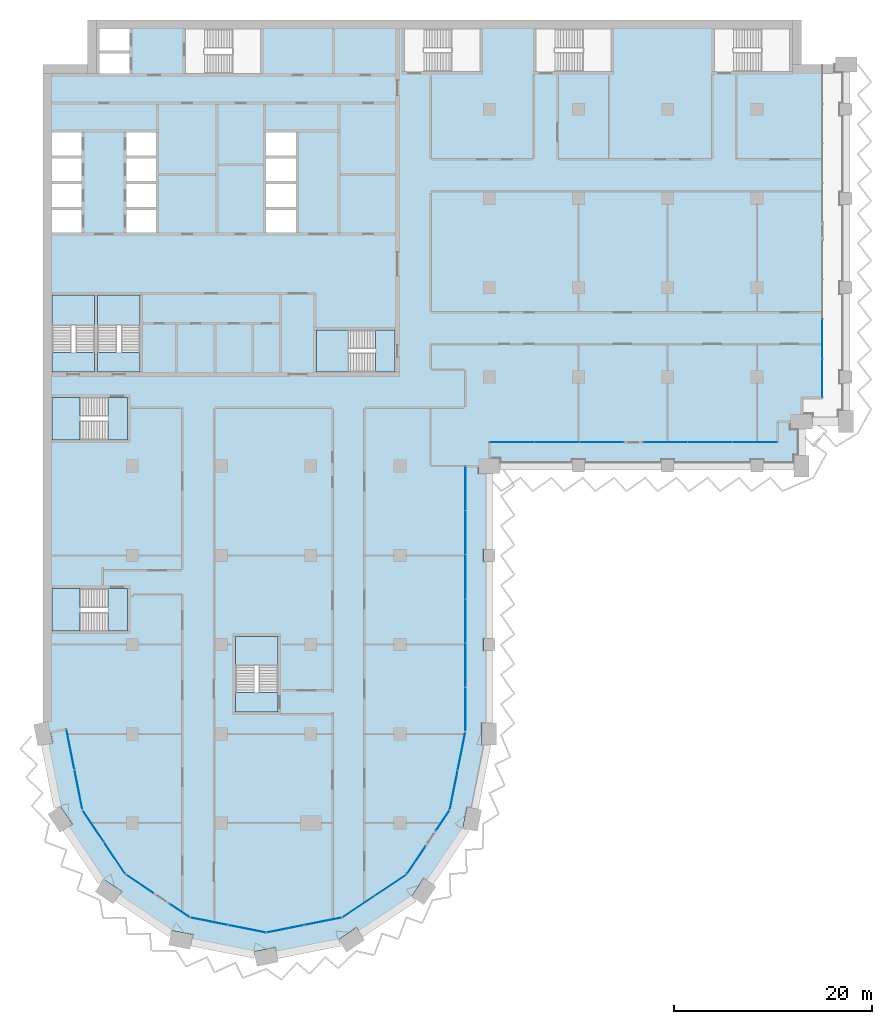
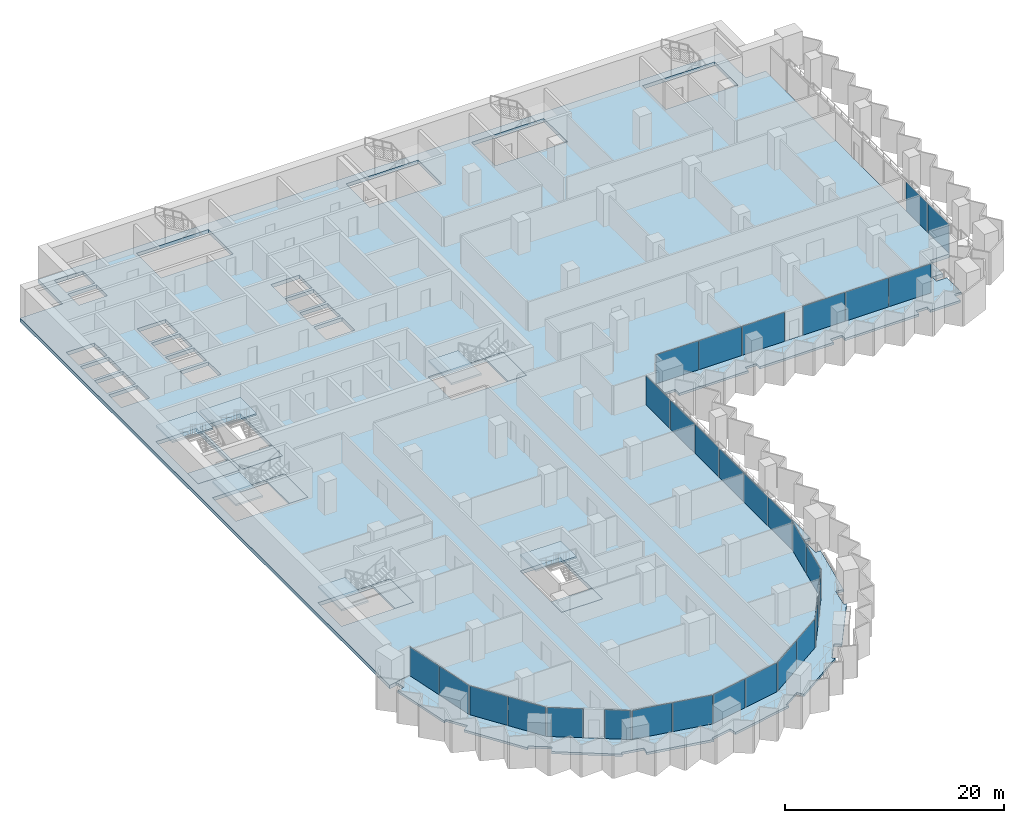
# One storey, part 7 of 22: 30 plates, 15 slabs, 20 elements without a shape of their own.
"""IFC4 building model written with IfcOpenShell, lengths in metres."""

from ifc_helpers import new_model, si_unit, direction, frame, origin, origin_2d, place, context, subcontext, project, spatial, polyline, rectangle, outline, extrude, material, layer, layer_set, type_object, element, aggregate, save


model = new_model("IFC4")

# Units and contexts
model_context = context("Model", 3, precision=1e-05, world=origin(), true_north=direction((0.0, 1.0)))
body_context = subcontext(model_context, "Body", "Model", "MODEL_VIEW")
ifc_project = project(units=[si_unit("LENGTHUNIT", "METRE"), si_unit("AREAUNIT", "SQUARE_METRE"), si_unit("VOLUMEUNIT", "CUBIC_METRE"), si_unit("PLANEANGLEUNIT", "RADIAN"), si_unit("MASSUNIT", "GRAM", prefix="KILO")], contexts=[model_context])

# Site, building, storey
site_placement = place(None, origin())
site = spatial("IfcSite", under=ifc_project, at=site_placement, CompositionType="ELEMENT")
building_placement = place(site_placement, origin())
building = spatial("IfcBuilding", under=site, at=building_placement, Name="Hunhe Ridgeline Campus", CompositionType="ELEMENT")
storey_placement = place(building_placement, frame((0.0, 0.0, 114.39990234375)))
storey = spatial("IfcBuildingStorey", under=building, at=storey_placement, Name="L28", CompositionType="ELEMENT", Elevation=114.39990234375)

# Curtain wall, plates
ifc_material_1 = material(Name="Aluminium 6063", Category="aluminium")
curtain_wall_type_1 = type_object("IfcCurtainWallType", Name="Curtain wall CW-5", PredefinedType="NOTDEFINED", material=ifc_material_1)
curtain_wall_1_placement = place(storey_placement, origin())
curtain_wall_1 = element("IfcCurtainWall", 1, at=curtain_wall_1_placement, inside=storey, type_object=curtain_wall_type_1, Name="Curtain wall 01", PredefinedType="NOTDEFINED")
ifc_material_2 = material(Name="Low-e laminated glass", Category="glass")
ifc_layer_1 = layer(ifc_material_2, 0.028076171875)
ifc_layer_set_1 = layer_set([ifc_layer_1], Name="Curtain wall glass panel 28 low-e laminated")
plate_type = type_object("IfcPlateType", Name="Curtain wall glass panel 28 low-e laminated", PredefinedType="CURTAIN_PANEL", material=ifc_layer_set_1)
plate_1_placement = place(storey_placement, frame((2.76318359375, 25.416015625, 0.0), z_axis=(0.0, 0.0, 1.0), x_axis=(0.195095347137, -0.980784280831, 0.0)))
plate_1 = element("IfcPlate", 2, at=plate_1_placement, type_object=plate_type, Name="CW-5 panel 1", PredefinedType="CURTAIN_PANEL", context=body_context, shape_type="SweptSolid", body=[
    extrude(rectangle(XDim=4.0458984375, YDim=0.028076171875, at=origin_2d()), origin(), (0.0, 0.0, 1.0), 3.22998046875),
])
plate_2_placement = place(storey_placement, frame((3.566162109375, 21.379150390625, 0.0), z_axis=(0.0, 0.0, 1.0), x_axis=(0.195095347137, -0.980784280831, 0.0)))
plate_2 = element("IfcPlate", 3, at=plate_2_placement, type_object=plate_type, Name="CW-5 panel 2", PredefinedType="CURTAIN_PANEL", context=body_context, shape_type="SweptSolid", body=[
    extrude(rectangle(XDim=4.0458984375, YDim=0.028076171875, at=origin_2d()), origin(), (0.0, 0.0, 1.0), 3.22998046875),
])
aggregate(curtain_wall_1, [plate_1, plate_2])

curtain_wall_2_placement = place(storey_placement, origin())
curtain_wall_2 = element("IfcCurtainWall", 4, at=curtain_wall_2_placement, inside=storey, type_object=curtain_wall_type_1, Name="Curtain wall 02", PredefinedType="NOTDEFINED")
plate_3_placement = place(storey_placement, frame((5.07080078125, 17.685546875, 0.0), z_axis=(0.0, 0.0, 1.0), x_axis=(0.555570274596, -0.831469584522, 0.0)))
plate_3 = element("IfcPlate", 5, at=plate_3_placement, type_object=plate_type, Name="CW-5 panel 1", PredefinedType="CURTAIN_PANEL", context=body_context, shape_type="SweptSolid", body=[
    extrude(rectangle(XDim=3.806884765625, YDim=0.028076171875, at=origin_2d()), origin(), (0.0, 0.0, 1.0), 3.22998046875),
])
plate_4_placement = place(storey_placement, frame((7.224609375, 14.4619140625, 0.0), z_axis=(0.0, 0.0, 1.0), x_axis=(0.555570274596, -0.831469584522, 0.0)))
plate_4 = element("IfcPlate", 6, at=plate_4_placement, type_object=plate_type, Name="CW-5 panel 2", PredefinedType="CURTAIN_PANEL", context=body_context, shape_type="SweptSolid", body=[
    extrude(rectangle(XDim=3.806884765625, YDim=0.028076171875, at=origin_2d()), origin(), (0.0, 0.0, 1.0), 3.22998046875),
])
aggregate(curtain_wall_2, [plate_3, plate_4])

# Curtain wall, plate
curtain_wall_3_placement = place(storey_placement, origin())
curtain_wall_3 = element("IfcCurtainWall", 7, at=curtain_wall_3_placement, inside=storey, type_object=curtain_wall_type_1, Name="Curtain wall 03", PredefinedType="NOTDEFINED")
plate_5_placement = place(storey_placement, frame((9.76025390625, 11.859375, 0.0), z_axis=(0.0, 0.0, 1.0), x_axis=(0.831469595944, -0.555570257501, 0.0)))
plate_5 = element("IfcPlate", 8, at=plate_5_placement, type_object=plate_type, Name="CW-5 panel 1", PredefinedType="CURTAIN_PANEL", context=body_context, shape_type="SweptSolid", body=[
    extrude(rectangle(XDim=3.322021484375, YDim=0.028076171875, at=origin_2d()), origin(), (0.0, 0.0, 1.0), 3.22998046875),
])
aggregate(curtain_wall_3, [plate_5])

curtain_wall_4_placement = place(storey_placement, origin())
curtain_wall_4 = element("IfcCurtainWall", 9, at=curtain_wall_4_placement, inside=storey, type_object=curtain_wall_type_1, Name="Curtain wall 04", PredefinedType="NOTDEFINED")
plate_6_placement = place(storey_placement, frame((13.761474609375, 9.18603515625, 0.0), z_axis=(0.0, 0.0, 1.0), x_axis=(0.831469510353, -0.555570385598, 0.0)))
plate_6 = element("IfcPlate", 10, at=plate_6_placement, type_object=plate_type, Name="CW-5 panel 1", PredefinedType="CURTAIN_PANEL", context=body_context, shape_type="SweptSolid", body=[
    extrude(rectangle(XDim=2.421875, YDim=0.028076171875, at=origin_2d()), origin(), (0.0, 0.0, 1.0), 3.22998046875),
])
aggregate(curtain_wall_4, [plate_6])

# Curtain wall, plates
curtain_wall_5_placement = place(storey_placement, origin())
curtain_wall_5 = element("IfcCurtainWall", 11, at=curtain_wall_5_placement, inside=storey, type_object=curtain_wall_type_1, Name="Curtain wall 05", PredefinedType="NOTDEFINED")
plate_7_placement = place(storey_placement, frame((16.761962890625, 8.08935546875, 0.0), z_axis=(0.0, 0.0, 1.0), x_axis=(0.980785275326, -0.195090347539, 0.0)))
plate_7 = element("IfcPlate", 12, at=plate_7_placement, type_object=plate_type, Name="CW-5 panel 1", PredefinedType="CURTAIN_PANEL", context=body_context, shape_type="SweptSolid", body=[
    extrude(rectangle(XDim=3.806884765625, YDim=0.028076171875, at=origin_2d()), origin(), (0.0, 0.0, 1.0), 3.22998046875),
])
plate_8_placement = place(storey_placement, frame((20.564453125, 7.3330078125, 0.0), z_axis=(0.0, 0.0, 1.0), x_axis=(0.980785275326, -0.195090347539, 0.0)))
plate_8 = element("IfcPlate", 13, at=plate_8_placement, type_object=plate_type, Name="CW-5 panel 2", PredefinedType="CURTAIN_PANEL", context=body_context, shape_type="SweptSolid", body=[
    extrude(rectangle(XDim=3.806884765625, YDim=0.028076171875, at=origin_2d()), origin(), (0.0, 0.0, 1.0), 3.22998046875),
])
aggregate(curtain_wall_5, [plate_7, plate_8])

curtain_wall_6_placement = place(storey_placement, origin())
curtain_wall_6 = element("IfcCurtainWall", 14, at=curtain_wall_6_placement, inside=storey, type_object=curtain_wall_type_1, Name="Curtain wall 06", PredefinedType="NOTDEFINED")
plate_9_placement = place(storey_placement, frame((24.435546875, 7.3330078125, 0.0), z_axis=(0.0, 0.0, 1.0), x_axis=(0.980785275326, 0.195090347539, 0.0)))
plate_9 = element("IfcPlate", 15, at=plate_9_placement, type_object=plate_type, Name="CW-5 panel 1", PredefinedType="CURTAIN_PANEL", context=body_context, shape_type="SweptSolid", body=[
    extrude(rectangle(XDim=3.806884765625, YDim=0.028076171875, at=origin_2d()), origin(), (0.0, 0.0, 1.0), 3.22998046875),
])
plate_10_placement = place(storey_placement, frame((28.238037109375, 8.08935546875, 0.0), z_axis=(0.0, 0.0, 1.0), x_axis=(0.980785275326, 0.195090347539, 0.0)))
plate_10 = element("IfcPlate", 16, at=plate_10_placement, type_object=plate_type, Name="CW-5 panel 2", PredefinedType="CURTAIN_PANEL", context=body_context, shape_type="SweptSolid", body=[
    extrude(rectangle(XDim=3.806884765625, YDim=0.028076171875, at=origin_2d()), origin(), (0.0, 0.0, 1.0), 3.22998046875),
])
aggregate(curtain_wall_6, [plate_9, plate_10])

curtain_wall_7_placement = place(storey_placement, origin())
curtain_wall_7 = element("IfcCurtainWall", 17, at=curtain_wall_7_placement, inside=storey, type_object=curtain_wall_type_1, Name="Curtain wall 07", PredefinedType="NOTDEFINED")
plate_11_placement = place(storey_placement, frame((31.814453125, 9.57080078125, 0.0), z_axis=(0.0, 0.0, 1.0), x_axis=(0.831469584522, 0.555570274596, 0.0)))
plate_11 = element("IfcPlate", 18, at=plate_11_placement, type_object=plate_type, Name="CW-5 panel 1", PredefinedType="CURTAIN_PANEL", context=body_context, shape_type="SweptSolid", body=[
    extrude(rectangle(XDim=3.806884765625, YDim=0.028076171875, at=origin_2d()), origin(), (0.0, 0.0, 1.0), 3.22998046875),
])
plate_12_placement = place(storey_placement, frame((35.0380859375, 11.724609375, 0.0), z_axis=(0.0, 0.0, 1.0), x_axis=(0.831469584522, 0.555570274596, 0.0)))
plate_12 = element("IfcPlate", 19, at=plate_12_placement, type_object=plate_type, Name="CW-5 panel 2", PredefinedType="CURTAIN_PANEL", context=body_context, shape_type="SweptSolid", body=[
    extrude(rectangle(XDim=3.806884765625, YDim=0.028076171875, at=origin_2d()), origin(), (0.0, 0.0, 1.0), 3.22998046875),
])
aggregate(curtain_wall_7, [plate_11, plate_12])

# Curtain wall, plate
curtain_wall_8_placement = place(storey_placement, origin())
curtain_wall_8 = element("IfcCurtainWall", 20, at=curtain_wall_8_placement, inside=storey, type_object=curtain_wall_type_1, Name="Curtain wall 08", PredefinedType="NOTDEFINED")
plate_13_placement = place(storey_placement, frame((37.640625, 14.26025390625, 0.0), z_axis=(0.0, 0.0, 1.0), x_axis=(0.555570257501, 0.831469595944, 0.0)))
plate_13 = element("IfcPlate", 21, at=plate_13_placement, type_object=plate_type, Name="CW-5 panel 1", PredefinedType="CURTAIN_PANEL", context=body_context, shape_type="SweptSolid", body=[
    extrude(rectangle(XDim=3.322021484375, YDim=0.028076171875, at=origin_2d()), origin(), (0.0, 0.0, 1.0), 3.22998046875),
])
aggregate(curtain_wall_8, [plate_13])

curtain_wall_9_placement = place(storey_placement, origin())
curtain_wall_9 = element("IfcCurtainWall", 22, at=curtain_wall_9_placement, inside=storey, type_object=curtain_wall_type_1, Name="Curtain wall 09", PredefinedType="NOTDEFINED")
plate_14_placement = place(storey_placement, frame((40.31396484375, 18.261474609375, 0.0), z_axis=(0.0, 0.0, 1.0), x_axis=(0.555570385598, 0.831469510353, 0.0)))
plate_14 = element("IfcPlate", 23, at=plate_14_placement, type_object=plate_type, Name="CW-5 panel 1", PredefinedType="CURTAIN_PANEL", context=body_context, shape_type="SweptSolid", body=[
    extrude(rectangle(XDim=2.421875, YDim=0.028076171875, at=origin_2d()), origin(), (0.0, 0.0, 1.0), 3.22998046875),
])
aggregate(curtain_wall_9, [plate_14])

# Curtain wall, plates
curtain_wall_10_placement = place(storey_placement, origin())
curtain_wall_10 = element("IfcCurtainWall", 24, at=curtain_wall_10_placement, inside=storey, type_object=curtain_wall_type_1, Name="Curtain wall 10", PredefinedType="NOTDEFINED")
plate_15_placement = place(storey_placement, frame((41.42236328125, 21.321044921875, 0.0), z_axis=(0.0, 0.0, 1.0), x_axis=(0.195090299215, 0.980785284939, 0.0)))
plate_15 = element("IfcPlate", 25, at=plate_15_placement, type_object=plate_type, Name="CW-5 panel 1", PredefinedType="CURTAIN_PANEL", context=body_context, shape_type="SweptSolid", body=[
    extrude(rectangle(XDim=3.927490234375, YDim=0.028076171875, at=origin_2d()), origin(), (0.0, 0.0, 1.0), 3.22998046875),
])
plate_16_placement = place(storey_placement, frame((42.2021484375, 25.24169921875, 0.0), z_axis=(0.0, 0.0, 1.0), x_axis=(0.195090299215, 0.980785284939, 0.0)))
plate_16 = element("IfcPlate", 26, at=plate_16_placement, type_object=plate_type, Name="CW-5 panel 2", PredefinedType="CURTAIN_PANEL", context=body_context, shape_type="SweptSolid", body=[
    extrude(rectangle(XDim=3.927490234375, YDim=0.028076171875, at=origin_2d()), origin(), (0.0, 0.0, 1.0), 3.22998046875),
])
aggregate(curtain_wall_10, [plate_15, plate_16])

curtain_wall_type_2 = type_object("IfcCurtainWallType", Name="Curtain wall CW-1", PredefinedType="NOTDEFINED", material=ifc_material_1)
curtain_wall_11_placement = place(storey_placement, origin())
curtain_wall_11 = element("IfcCurtainWall", 27, at=curtain_wall_11_placement, inside=storey, type_object=curtain_wall_type_2, Name="Curtain wall 11", PredefinedType="NOTDEFINED")
plate_17_placement = place(storey_placement, frame((42.59912109375, 29.48193359375, 0.0), z_axis=(0.0, 0.0, 1.0), x_axis=(1.0947456e-05, 0.99999999994, 0.0)))
plate_17 = element("IfcPlate", 28, at=plate_17_placement, type_object=plate_type, Name="CW-1 panel 1", PredefinedType="CURTAIN_PANEL", context=body_context, shape_type="SweptSolid", body=[
    extrude(rectangle(XDim=4.37060546875, YDim=0.028076171875, at=origin_2d()), origin(), (0.0, 0.0, 1.0), 3.239990234375),
])
plate_18_placement = place(storey_placement, frame((42.59912109375, 33.927490234375, 0.0), z_axis=(0.0, 0.0, 1.0), x_axis=(1.0947456e-05, 0.99999999994, 0.0)))
plate_18 = element("IfcPlate", 29, at=plate_18_placement, type_object=plate_type, Name="CW-1 panel 2", PredefinedType="CURTAIN_PANEL", context=body_context, shape_type="SweptSolid", body=[
    extrude(rectangle(XDim=4.400634765625, YDim=0.028076171875, at=origin_2d()), origin(), (0.0, 0.0, 1.0), 3.239990234375),
])
plate_19_placement = place(storey_placement, frame((42.59912109375, 38.38818359375, 0.0), z_axis=(0.0, 0.0, 1.0), x_axis=(1.0947456e-05, 0.99999999994, 0.0)))
plate_19 = element("IfcPlate", 30, at=plate_19_placement, type_object=plate_type, Name="CW-1 panel 3", PredefinedType="CURTAIN_PANEL", context=body_context, shape_type="SweptSolid", body=[
    extrude(rectangle(XDim=4.400634765625, YDim=0.028076171875, at=origin_2d()), origin(), (0.0, 0.0, 1.0), 3.239990234375),
])
plate_20_placement = place(storey_placement, frame((42.59912109375, 42.848876953125, 0.0), z_axis=(0.0, 0.0, 1.0), x_axis=(1.0947456e-05, 0.99999999994, 0.0)))
plate_20 = element("IfcPlate", 31, at=plate_20_placement, type_object=plate_type, Name="CW-1 panel 4", PredefinedType="CURTAIN_PANEL", context=body_context, shape_type="SweptSolid", body=[
    extrude(rectangle(XDim=4.400634765625, YDim=0.028076171875, at=origin_2d()), origin(), (0.0, 0.0, 1.0), 3.239990234375),
])
plate_21_placement = place(storey_placement, frame((42.59912109375, 47.3095703125, 0.0), z_axis=(0.0, 0.0, 1.0), x_axis=(1.0947456e-05, 0.99999999994, 0.0)))
plate_21 = element("IfcPlate", 32, at=plate_21_placement, type_object=plate_type, Name="CW-1 panel 5", PredefinedType="CURTAIN_PANEL", context=body_context, shape_type="SweptSolid", body=[
    extrude(rectangle(XDim=4.400634765625, YDim=0.028076171875, at=origin_2d()), origin(), (0.0, 0.0, 1.0), 3.239990234375),
])
plate_22_placement = place(storey_placement, frame((42.599365234375, 51.75537109375, 0.0), z_axis=(0.0, 0.0, 1.0), x_axis=(1.0947456e-05, 0.99999999994, 0.0)))
plate_22 = element("IfcPlate", 33, at=plate_22_placement, type_object=plate_type, Name="CW-1 panel 6", PredefinedType="CURTAIN_PANEL", context=body_context, shape_type="SweptSolid", body=[
    extrude(rectangle(XDim=4.37060546875, YDim=0.028076171875, at=origin_2d()), origin(), (0.0, 0.0, 1.0), 3.239990234375),
])
aggregate(curtain_wall_11, [plate_17, plate_18, plate_19, plate_20, plate_21, plate_22])

curtain_wall_12_placement = place(storey_placement, origin())
curtain_wall_12 = element("IfcCurtainWall", 34, at=curtain_wall_12_placement, inside=storey, type_object=curtain_wall_type_2, Name="Curtain wall 12", PredefinedType="NOTDEFINED")
plate_23_placement = place(storey_placement, frame((47.289794921875, 56.40087890625, 0.0), z_axis=(0.0, 0.0, 1.0), x_axis=(1.0, 1.4652e-07, 0.0)))
plate_23 = element("IfcPlate", 35, at=plate_23_placement, type_object=plate_type, Name="CW-1 panel 1", PredefinedType="CURTAIN_PANEL", context=body_context, shape_type="SweptSolid", body=[
    extrude(rectangle(XDim=4.4599609375, YDim=0.028076171875, at=origin_2d()), origin(), (0.0, 0.0, 1.0), 3.239990234375),
])
plate_24_placement = place(storey_placement, frame((51.82470703125, 56.40087890625, 0.0), z_axis=(0.0, 0.0, 1.0), x_axis=(1.0, 1.4652e-07, 0.0)))
plate_24 = element("IfcPlate", 36, at=plate_24_placement, type_object=plate_type, Name="CW-1 panel 2", PredefinedType="CURTAIN_PANEL", context=body_context, shape_type="SweptSolid", body=[
    extrude(rectangle(XDim=4.48974609375, YDim=0.028076171875, at=origin_2d()), origin(), (0.0, 0.0, 1.0), 3.239990234375),
])
plate_25_placement = place(storey_placement, frame((56.359619140625, 56.40087890625, 0.0), z_axis=(0.0, 0.0, 1.0), x_axis=(1.0, 1.4652e-07, 0.0)))
plate_25 = element("IfcPlate", 37, at=plate_25_placement, type_object=plate_type, Name="CW-1 panel 3", PredefinedType="CURTAIN_PANEL", context=body_context, shape_type="SweptSolid", body=[
    extrude(rectangle(XDim=4.4599609375, YDim=0.028076171875, at=origin_2d()), origin(), (0.0, 0.0, 1.0), 3.239990234375),
])
aggregate(curtain_wall_12, [plate_23, plate_24, plate_25])

curtain_wall_13_placement = place(storey_placement, origin())
curtain_wall_13 = element("IfcCurtainWall", 38, at=curtain_wall_13_placement, inside=storey, type_object=curtain_wall_type_2, Name="Curtain wall 13", PredefinedType="NOTDEFINED")
plate_26_placement = place(storey_placement, frame((62.7392578125, 56.40087890625, 0.0), z_axis=(0.0, 0.0, 1.0), x_axis=(1.0, 1.4652e-07, 0.0)))
plate_26 = element("IfcPlate", 39, at=plate_26_placement, type_object=plate_type, Name="CW-1 panel 1", PredefinedType="CURTAIN_PANEL", context=body_context, shape_type="SweptSolid", body=[
    extrude(rectangle(XDim=4.4599609375, YDim=0.028076171875, at=origin_2d()), origin(), (0.0, 0.0, 1.0), 3.239990234375),
])
plate_27_placement = place(storey_placement, frame((67.274169921875, 56.40087890625, 0.0), z_axis=(0.0, 0.0, 1.0), x_axis=(1.0, 1.4652e-07, 0.0)))
plate_27 = element("IfcPlate", 40, at=plate_27_placement, type_object=plate_type, Name="CW-1 panel 2", PredefinedType="CURTAIN_PANEL", context=body_context, shape_type="SweptSolid", body=[
    extrude(rectangle(XDim=4.48974609375, YDim=0.028076171875, at=origin_2d()), origin(), (0.0, 0.0, 1.0), 3.239990234375),
])
plate_28_placement = place(storey_placement, frame((71.80908203125, 56.40087890625, 0.0), z_axis=(0.0, 0.0, 1.0), x_axis=(1.0, 1.4652e-07, 0.0)))
plate_28 = element("IfcPlate", 41, at=plate_28_placement, type_object=plate_type, Name="CW-1 panel 3", PredefinedType="CURTAIN_PANEL", context=body_context, shape_type="SweptSolid", body=[
    extrude(rectangle(XDim=4.4599609375, YDim=0.028076171875, at=origin_2d()), origin(), (0.0, 0.0, 1.0), 3.239990234375),
])
aggregate(curtain_wall_13, [plate_26, plate_27, plate_28])

curtain_wall_14_placement = place(storey_placement, origin())
curtain_wall_14 = element("IfcCurtainWall", 42, at=curtain_wall_14_placement, inside=storey, type_object=curtain_wall_type_2, Name="Curtain wall 14", PredefinedType="NOTDEFINED")
plate_29_placement = place(storey_placement, frame((78.59912109375, 62.9033203125, 0.0), z_axis=(0.0, 0.0, 1.0), x_axis=(0.0, 1.0, 0.0)))
plate_29 = element("IfcPlate", 43, at=plate_29_placement, type_object=plate_type, Name="CW-1 panel 1", PredefinedType="CURTAIN_PANEL", context=body_context, shape_type="SweptSolid", body=[
    extrude(rectangle(XDim=3.884765625, YDim=0.028076171875, at=origin_2d()), origin(), (0.0, 0.0, 1.0), 3.239990234375),
])
plate_30_placement = place(storey_placement, frame((78.59912109375, 66.86328125, 0.0), z_axis=(0.0, 0.0, 1.0), x_axis=(0.0, 1.0, 0.0)))
plate_30 = element("IfcPlate", 44, at=plate_30_placement, type_object=plate_type, Name="CW-1 panel 2", PredefinedType="CURTAIN_PANEL", context=body_context, shape_type="SweptSolid", body=[
    extrude(rectangle(XDim=3.914794921875, YDim=0.028076171875, at=origin_2d()), origin(), (0.0, 0.0, 1.0), 3.239990234375),
])
aggregate(curtain_wall_14, [plate_29, plate_30])

# Slabs
ifc_material_3 = material(Name="Concrete C40", Category="concrete")
ifc_layer_2 = layer(ifc_material_3, 0.39990234375)
ifc_layer_set_2 = layer_set([ifc_layer_2], Name="Floor slab 400 Concrete C40")
slab_type_1 = type_object("IfcSlabType", Name="Floor slab 400 Concrete C40", PredefinedType="FLOOR", material=ifc_layer_set_2)
slab_1_placement = place(storey_placement, frame((0.0, 0.0, -0.39990234375)))
element("IfcSlab", 45, at=slab_1_placement, inside=storey, type_object=slab_type_1, Name="Floor slab L28 1", PredefinedType="FLOOR", context=body_context, shape_type="SweptSolid", body=[
    extrude(outline(polyline([(0.0, 27.0009765625), (2.354736328125, 27.46875), (3.974365234375, 19.326416015625), (8.321044921875, 12.821044921875), (14.826416015625, 8.474365234375), (22.5, 6.947998046875), (30.173583984375, 8.474365234375), (36.678955078125, 12.821044921875), (41.025634765625, 19.326416015625), (42.59912109375, 27.236572265625), (42.599365234375, 54.000732421875), (44.9990234375, 54.0009765625), (45.0, 56.40087890625), (74.09912109375, 56.40087890625), (74.099365234375, 58.500732421875), (76.4990234375, 58.5009765625), (76.499267578125, 60.900634765625), (78.59912109375, 60.90087890625), (78.59912109375, 94.5), (76.5, 94.5), (76.5, 99.0), (4.5, 99.0), (4.5, 94.5), (0.0, 94.5), (0.0, 27.0009765625)]), holes=[polyline([(67.699951171875, 93.800048828125), (75.300048828125, 93.800048828125), (75.300048828125, 98.10009765625), (67.699951171875, 98.10009765625), (67.699951171875, 93.800048828125)]), polyline([(57.300048828125, 93.800048828125), (57.300048828125, 98.10009765625), (49.699951171875, 98.10009765625), (49.699951171875, 93.800048828125), (57.300048828125, 93.800048828125)]), polyline([(44.050048828125, 98.10009765625), (36.449951171875, 98.10009765625), (36.449951171875, 93.800048828125), (44.050048828125, 93.800048828125), (44.050048828125, 98.10009765625)]), polyline([(27.60009765625, 67.75), (27.60009765625, 63.5), (35.5, 63.5), (35.5, 67.75), (27.60009765625, 67.75)]), polyline([(25.5, 85.35009765625), (25.5, 87.64990234375), (22.5, 87.64990234375), (22.5, 85.35009765625), (25.5, 85.35009765625)]), polyline([(25.5, 85.050048828125), (22.5, 85.050048828125), (22.5, 82.75), (25.5, 82.75), (25.5, 85.050048828125)]), polyline([(22.5, 82.449951171875), (22.5, 80.14990234375), (25.5, 80.14990234375), (25.5, 82.449951171875), (22.5, 82.449951171875)]), polyline([(22.5, 77.550048828125), (25.5, 77.550048828125), (25.5, 79.85009765625), (22.5, 79.85009765625), (22.5, 77.550048828125)]), polyline([(19.39990234375, 29.199951171875), (23.699951171875, 29.199951171875), (23.699951171875, 36.800048828125), (19.39990234375, 36.800048828125), (19.39990234375, 29.199951171875)]), polyline([(21.949951171875, 98.10009765625), (14.35009765625, 98.10009765625), (14.35009765625, 93.60009765625), (21.949951171875, 93.60009765625), (21.949951171875, 98.10009765625)]), polyline([(8.39990234375, 82.449951171875), (8.39990234375, 80.14990234375), (11.39990234375, 80.14990234375), (11.39990234375, 82.449951171875), (8.39990234375, 82.449951171875)]), polyline([(11.39990234375, 85.35009765625), (11.39990234375, 87.64990234375), (8.39990234375, 87.64990234375), (8.39990234375, 85.35009765625), (11.39990234375, 85.35009765625)]), polyline([(11.39990234375, 85.050048828125), (8.39990234375, 85.050048828125), (8.39990234375, 82.75), (11.39990234375, 82.75), (11.39990234375, 85.050048828125)]), polyline([(8.39990234375, 77.550048828125), (11.39990234375, 77.550048828125), (11.39990234375, 79.85009765625), (8.39990234375, 79.85009765625), (8.39990234375, 77.550048828125)]), polyline([(5.5, 63.5), (9.800048828125, 63.5), (9.800048828125, 71.25), (5.5, 71.25), (5.5, 63.5)]), polyline([(5.699951171875, 98.10009765625), (5.699951171875, 95.89990234375), (8.699951171875, 95.89990234375), (8.699951171875, 98.10009765625), (5.699951171875, 98.10009765625)]), polyline([(5.699951171875, 93.60009765625), (8.699951171875, 93.60009765625), (8.699951171875, 95.60009765625), (5.699951171875, 95.60009765625), (5.699951171875, 93.60009765625)]), polyline([(0.89990234375, 60.949951171875), (0.89990234375, 56.64990234375), (8.5, 56.64990234375), (8.5, 60.949951171875), (0.89990234375, 60.949951171875)]), polyline([(0.89990234375, 37.35009765625), (8.5, 37.35009765625), (8.5, 41.64990234375), (0.89990234375, 41.64990234375), (0.89990234375, 37.35009765625)]), polyline([(5.199951171875, 63.5), (5.199951171875, 71.25), (0.89990234375, 71.25), (0.89990234375, 63.5), (5.199951171875, 63.5)]), polyline([(3.89990234375, 85.35009765625), (3.89990234375, 87.64990234375), (0.89990234375, 87.64990234375), (0.89990234375, 85.35009765625), (3.89990234375, 85.35009765625)]), polyline([(3.89990234375, 85.050048828125), (0.89990234375, 85.050048828125), (0.89990234375, 82.75), (3.89990234375, 82.75), (3.89990234375, 85.050048828125)]), polyline([(0.89990234375, 82.449951171875), (0.89990234375, 80.14990234375), (3.89990234375, 80.14990234375), (3.89990234375, 82.449951171875), (0.89990234375, 82.449951171875)]), polyline([(0.89990234375, 77.550048828125), (3.89990234375, 77.550048828125), (3.89990234375, 79.85009765625), (0.89990234375, 79.85009765625), (0.89990234375, 77.550048828125)])]), origin(), (0.0, 0.0, 1.0), 0.39990234375),
])
ifc_layer_3 = layer(ifc_material_3, 0.25)
ifc_layer_set_3 = layer_set([ifc_layer_3], Name="Loggia slab 250 Concrete C40")
slab_type_2 = type_object("IfcSlabType", Name="Loggia slab 250 Concrete C40", PredefinedType="FLOOR", material=ifc_layer_set_3)
slab_2_placement = place(storey_placement, frame((0.0, 0.0, -0.25)))
element("IfcSlab", 46, at=slab_2_placement, inside=storey, type_object=slab_type_2, Name="Loggia slab 1", PredefinedType="FLOOR", context=body_context, shape_type="SweptSolid", body=[
    extrude(outline(polyline([(30.173828125, 8.473388671875), (22.5, 6.947021484375), (14.826171875, 8.473388671875), (8.3203125, 12.8203125), (3.973388671875, 19.326171875), (2.35400390625, 27.46826171875), (0.735595703125, 27.146240234375), (0.9501953125, 26.0673828125), (0.214599609375, 25.921142578125), (1.48046875, 19.557373046875), (1.72509765625, 19.720947265625), (2.947509765625, 17.8916015625), (2.32373046875, 17.47509765625), (5.9287109375, 12.080078125), (6.092041015625, 12.32470703125), (7.92138671875, 11.1025390625), (7.504638671875, 10.47900390625), (12.899658203125, 6.874267578125), (12.95703125, 7.162841796875), (15.11474609375, 6.733642578125), (14.968505859375, 5.998046875), (21.332275390625, 4.732177734375), (21.27490234375, 5.02099609375), (23.4326171875, 5.4501953125), (23.578857421875, 4.714599609375), (29.942626953125, 5.98046875), (29.779052734375, 6.22509765625), (31.6083984375, 7.447509765625), (32.02490234375, 6.82373046875), (37.419921875, 10.4287109375), (37.17529296875, 10.592041015625), (38.3974609375, 12.42138671875), (39.02099609375, 12.004638671875), (42.625732421875, 17.399658203125), (42.337158203125, 17.45703125), (42.766357421875, 19.61474609375), (43.501953125, 19.468505859375), (44.78125, 25.89990234375), (44.25, 25.89990234375), (44.25, 28.10009765625), (45.0, 28.10009765625), (45.0, 35.39990234375), (44.39990234375, 35.39990234375), (44.39990234375, 36.60009765625), (45.0, 36.60009765625), (45.0, 44.39990234375), (44.39990234375, 44.39990234375), (44.39990234375, 45.60009765625), (45.0, 45.60009765625), (45.0, 53.25), (43.89990234375, 53.25), (43.89990234375, 54.0), (42.60009765625, 54.0), (42.60009765625, 27.236328125), (41.026611328125, 19.326171875), (36.6796875, 12.8203125), (30.173828125, 8.473388671875)])), origin(), (0.0, 0.0, 1.0), 0.25),
])
slab_3_placement = place(storey_placement, frame((0.0, 0.0, -0.25)))
element("IfcSlab", 47, at=slab_3_placement, inside=storey, type_object=slab_type_2, Name="Loggia slab 2", PredefinedType="FLOOR", context=body_context, shape_type="SweptSolid", body=[
    extrude(outline(polyline([(45.0, 54.75), (46.10009765625, 54.75), (46.10009765625, 54.0), (53.39990234375, 54.0), (53.39990234375, 54.60009765625), (54.60009765625, 54.60009765625), (54.60009765625, 54.0), (62.39990234375, 54.0), (62.39990234375, 54.60009765625), (63.60009765625, 54.60009765625), (63.60009765625, 54.0), (71.39990234375, 54.0), (71.39990234375, 54.60009765625), (72.60009765625, 54.60009765625), (72.60009765625, 54.0), (75.75, 54.0), (75.75, 55.10009765625), (76.5, 55.10009765625), (76.5, 57.75), (75.39990234375, 57.75), (75.39990234375, 58.5), (74.10009765625, 58.5), (74.10009765625, 56.39990234375), (45.0, 56.39990234375), (45.0, 54.75)])), origin(), (0.0, 0.0, 1.0), 0.25),
])

# Stair, slab
stair_type = type_object("IfcStairType", Name="Reinforced concrete dog-leg stair 1950 Concrete C40", PredefinedType="HALF_TURN_STAIR", material=ifc_material_3)
stair_1_placement = place(storey_placement, origin())
stair_1 = element("IfcStair", 48, at=stair_1_placement, inside=storey, type_object=stair_type, Name="L28 S2", PredefinedType="HALF_TURN_STAIR")
ifc_layer_4 = layer(ifc_material_3, 0.199951171875)
ifc_layer_set_4 = layer_set([ifc_layer_4], Name="Reinforced concrete stair landing 200 Concrete C40")
slab_type_3 = type_object("IfcSlabType", Name="Reinforced concrete stair landing 200 Concrete C40", PredefinedType="LANDING", material=ifc_layer_set_4)
slab_4_placement = place(storey_placement, frame((0.0, 0.0, 1.650146484375)))
slab_4 = element("IfcSlab", 49, at=slab_4_placement, type_object=slab_type_3, Name="ST2 landing 1", PredefinedType="LANDING", context=body_context, shape_type="SweptSolid", body=[
    extrude(outline(polyline([(30.75, 67.75), (27.60009765625, 67.75), (27.60009765625, 63.5), (30.75, 63.5), (30.75, 67.75)])), origin(), (0.0, 0.0, 1.0), 0.199951171875),
])
aggregate(stair_1, [slab_4])

# Slab
slab_5_placement = place(storey_placement, frame((0.0, 0.0, -0.199951171875)))
element("IfcSlab", 50, at=slab_5_placement, inside=storey, type_object=slab_type_3, Name="L28 stair S2 floor landing", PredefinedType="LANDING", context=body_context, shape_type="SweptSolid", body=[
    extrude(outline(polyline([(35.5, 67.75), (33.550048828125, 67.75), (33.550048828125, 63.5), (35.5, 63.5), (35.5, 67.75)])), origin(), (0.0, 0.0, 1.0), 0.199951171875),
])

# Stair, slab
stair_2_placement = place(storey_placement, origin())
stair_2 = element("IfcStair", 51, at=stair_2_placement, inside=storey, type_object=stair_type, Name="L28 S3", PredefinedType="HALF_TURN_STAIR")
slab_6_placement = place(storey_placement, frame((0.0, 0.0, 1.650146484375)))
slab_6 = element("IfcSlab", 52, at=slab_6_placement, type_object=slab_type_3, Name="ST3 landing 1", PredefinedType="LANDING", context=body_context, shape_type="SweptSolid", body=[
    extrude(outline(polyline([(5.199951171875, 68.25), (5.199951171875, 71.25), (0.89990234375, 71.25), (0.89990234375, 68.25), (5.199951171875, 68.25)])), origin(), (0.0, 0.0, 1.0), 0.199951171875),
])
aggregate(stair_2, [slab_6])

# Slab
slab_7_placement = place(storey_placement, frame((0.0, 0.0, -0.199951171875)))
element("IfcSlab", 53, at=slab_7_placement, inside=storey, type_object=slab_type_3, Name="L28 stair S3 floor landing", PredefinedType="LANDING", context=body_context, shape_type="SweptSolid", body=[
    extrude(outline(polyline([(5.199951171875, 63.5), (5.199951171875, 65.449951171875), (0.89990234375, 65.449951171875), (0.89990234375, 63.5), (5.199951171875, 63.5)])), origin(), (0.0, 0.0, 1.0), 0.199951171875),
])

# Stair, slab
stair_3_placement = place(storey_placement, origin())
stair_3 = element("IfcStair", 54, at=stair_3_placement, inside=storey, type_object=stair_type, Name="L28 S4", PredefinedType="HALF_TURN_STAIR")
slab_8_placement = place(storey_placement, frame((0.0, 0.0, 1.650146484375)))
slab_8 = element("IfcSlab", 55, at=slab_8_placement, type_object=slab_type_3, Name="ST4 landing 1", PredefinedType="LANDING", context=body_context, shape_type="SweptSolid", body=[
    extrude(outline(polyline([(9.800048828125, 68.25), (9.800048828125, 71.25), (5.5, 71.25), (5.5, 68.25), (9.800048828125, 68.25)])), origin(), (0.0, 0.0, 1.0), 0.199951171875),
])
aggregate(stair_3, [slab_8])

# Slab
slab_9_placement = place(storey_placement, frame((0.0, 0.0, -0.199951171875)))
element("IfcSlab", 56, at=slab_9_placement, inside=storey, type_object=slab_type_3, Name="L28 stair S4 floor landing", PredefinedType="LANDING", context=body_context, shape_type="SweptSolid", body=[
    extrude(outline(polyline([(9.800048828125, 63.5), (9.800048828125, 65.449951171875), (5.5, 65.449951171875), (5.5, 63.5), (9.800048828125, 63.5)])), origin(), (0.0, 0.0, 1.0), 0.199951171875),
])

# Stair, slab
stair_4_placement = place(storey_placement, origin())
stair_4 = element("IfcStair", 57, at=stair_4_placement, inside=storey, type_object=stair_type, Name="L28 W3", PredefinedType="HALF_TURN_STAIR")
slab_10_placement = place(storey_placement, frame((0.0, 0.0, 1.650146484375)))
slab_10 = element("IfcSlab", 58, at=slab_10_placement, type_object=slab_type_3, Name="ST9 landing 1", PredefinedType="LANDING", context=body_context, shape_type="SweptSolid", body=[
    extrude(outline(polyline([(23.699951171875, 33.949951171875), (23.699951171875, 36.800048828125), (19.39990234375, 36.800048828125), (19.39990234375, 33.949951171875), (23.699951171875, 33.949951171875)])), origin(), (0.0, 0.0, 1.0), 0.199951171875),
])
aggregate(stair_4, [slab_10])

# Slab
slab_11_placement = place(storey_placement, frame((0.0, 0.0, -0.199951171875)))
element("IfcSlab", 59, at=slab_11_placement, inside=storey, type_object=slab_type_3, Name="L28 stair W3 floor landing", PredefinedType="LANDING", context=body_context, shape_type="SweptSolid", body=[
    extrude(outline(polyline([(23.699951171875, 29.199951171875), (23.699951171875, 31.14990234375), (19.39990234375, 31.14990234375), (19.39990234375, 29.199951171875), (23.699951171875, 29.199951171875)])), origin(), (0.0, 0.0, 1.0), 0.199951171875),
])

# Stair, slab
stair_5_placement = place(storey_placement, origin())
stair_5 = element("IfcStair", 60, at=stair_5_placement, inside=storey, type_object=stair_type, Name="L28 W1", PredefinedType="HALF_TURN_STAIR")
slab_12_placement = place(storey_placement, frame((0.0, 0.0, 1.650146484375)))
slab_12 = element("IfcSlab", 61, at=slab_12_placement, type_object=slab_type_3, Name="ST11 landing 1", PredefinedType="LANDING", context=body_context, shape_type="SweptSolid", body=[
    extrude(outline(polyline([(3.75, 41.64990234375), (0.89990234375, 41.64990234375), (0.89990234375, 37.35009765625), (3.75, 37.35009765625), (3.75, 41.64990234375)])), origin(), (0.0, 0.0, 1.0), 0.199951171875),
])
aggregate(stair_5, [slab_12])

# Slab
slab_13_placement = place(storey_placement, frame((0.0, 0.0, -0.199951171875)))
element("IfcSlab", 62, at=slab_13_placement, inside=storey, type_object=slab_type_3, Name="L28 stair W1 floor landing", PredefinedType="LANDING", context=body_context, shape_type="SweptSolid", body=[
    extrude(outline(polyline([(8.5, 41.64990234375), (6.550048828125, 41.64990234375), (6.550048828125, 37.35009765625), (8.5, 37.35009765625), (8.5, 41.64990234375)])), origin(), (0.0, 0.0, 1.0), 0.199951171875),
])

# Stair, slab
stair_6_placement = place(storey_placement, origin())
stair_6 = element("IfcStair", 63, at=stair_6_placement, inside=storey, type_object=stair_type, Name="L28 W2", PredefinedType="HALF_TURN_STAIR")
slab_14_placement = place(storey_placement, frame((0.0, 0.0, 1.650146484375)))
slab_14 = element("IfcSlab", 64, at=slab_14_placement, type_object=slab_type_3, Name="ST12 landing 1", PredefinedType="LANDING", context=body_context, shape_type="SweptSolid", body=[
    extrude(outline(polyline([(3.75, 60.949951171875), (0.89990234375, 60.949951171875), (0.89990234375, 56.64990234375), (3.75, 56.64990234375), (3.75, 60.949951171875)])), origin(), (0.0, 0.0, 1.0), 0.199951171875),
])
aggregate(stair_6, [slab_14])

# Slab
slab_15_placement = place(storey_placement, frame((0.0, 0.0, -0.199951171875)))
element("IfcSlab", 65, at=slab_15_placement, inside=storey, type_object=slab_type_3, Name="L28 stair W2 floor landing", PredefinedType="LANDING", context=body_context, shape_type="SweptSolid", body=[
    extrude(outline(polyline([(8.5, 60.949951171875), (6.550048828125, 60.949951171875), (6.550048828125, 56.64990234375), (8.5, 56.64990234375), (8.5, 60.949951171875)])), origin(), (0.0, 0.0, 1.0), 0.199951171875),
])

save(model, "model.ifc")
